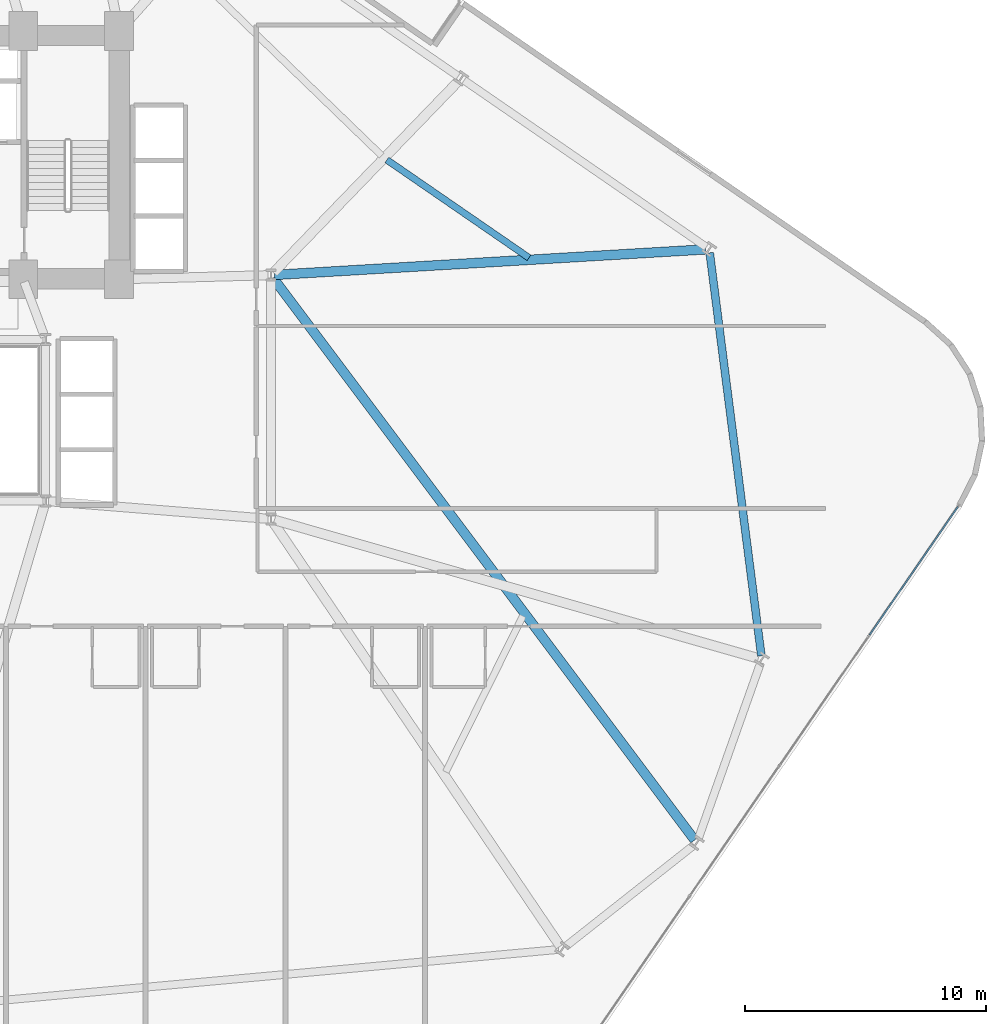
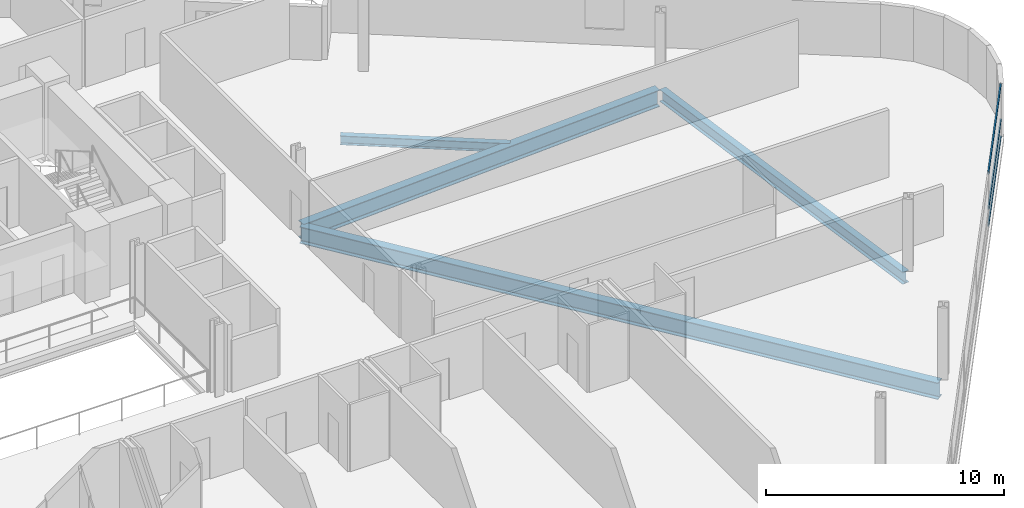
# One storey, part 10 of 25: 4 beams, 3 members, 1 element without a shape of its own.
"""IFC4 building model written with IfcOpenShell, lengths in metres."""

from ifc_helpers import new_model, si_unit, direction, frame, origin, origin_2d, place, context, subcontext, project, spatial, hollow_rectangle, i_section, extrude, material, layer, layer_set, material_profile, profile_set, type_object, element, aggregate, save


model = new_model("IFC4")

# Units and contexts
model_context = context("Model", 3, precision=1e-05, world=origin(), true_north=direction((0.0, 1.0)))
body_context = subcontext(model_context, "Body", "Model", "MODEL_VIEW")
ifc_project = project(units=[si_unit("LENGTHUNIT", "METRE"), si_unit("AREAUNIT", "SQUARE_METRE"), si_unit("VOLUMEUNIT", "CUBIC_METRE"), si_unit("PLANEANGLEUNIT", "RADIAN"), si_unit("MASSUNIT", "GRAM", prefix="KILO")], contexts=[model_context])

# Site, building, storey
site_placement = place(None, origin())
site = spatial("IfcSite", under=ifc_project, at=site_placement, CompositionType="ELEMENT")
building_placement = place(site_placement, origin())
building = spatial("IfcBuilding", under=site, at=building_placement, Name="Varnelok Gate Tower", CompositionType="ELEMENT")
storey_placement = place(building_placement, frame((0.0, 0.0, 64.0)))
storey = spatial("IfcBuildingStorey", under=building, at=storey_placement, Name="L15", CompositionType="ELEMENT", Elevation=64.0)

# Beams
ifc_material_1 = material(Name="Structural Steel ASTM A992 Grade 50", Category="steel")
ifc_material_profile_1 = material_profile(ifc_material_1, i_section(OverallWidth=0.280029296875, OverallDepth=0.462890625, WebThickness=0.0107421875, FlangeThickness=0.017333984375, FilletRadius=0.014892578125, at=origin_2d()), Name="W18X76")
ifc_profile_set_1 = profile_set([ifc_material_profile_1], Name="Structural Steel ASTM A992 Grade 50")
beam_type_1 = type_object("IfcBeamType", Name="BM-JST-W18X76", PredefinedType="JOIST", material=ifc_profile_set_1)
beam_1_placement = place(storey_placement, frame((64.705078125, 29.640380859375, -0.4814453125), z_axis=(-0.823532034116, 0.567269767205, 0.0), x_axis=(-0.567269767205, -0.823532034116, 0.0)))
element("IfcBeam", 1, at=beam_1_placement, inside=storey, type_object=beam_type_1, Name="L15 Sector Floor Joist 6", PredefinedType="JOIST", context=body_context, shape_type="SweptSolid", body=[
    extrude(i_section(OverallWidth=0.280029296875, OverallDepth=0.462890625, WebThickness=0.0107421875, FlangeThickness=0.017333984375, FilletRadius=0.014892578125, at=origin_2d()), origin(), (0.0, 0.0, 1.0), 7.15771484375),
])
ifc_material_profile_2 = material_profile(ifc_material_1, i_section(OverallWidth=0.39892578125, OverallDepth=0.85498046875, WebThickness=0.018310546875, FlangeThickness=0.029296875, FilletRadius=0.02392578125, at=origin_2d()), Name="W33X201")
ifc_profile_set_2 = profile_set([ifc_material_profile_2], Name="Structural Steel ASTM A992 Grade 50")
beam_type_2 = type_object("IfcBeamType", Name="BM-PRI-W33X201", PredefinedType="BEAM", material=ifc_profile_set_2)
beam_2_placement = place(storey_placement, frame((54.090087890625, 28.800048828125, -0.677490234375), z_axis=(0.600038863323, -0.799970851033, 0.0), x_axis=(0.799970851033, 0.600038863323, 0.0)))
element("IfcBeam", 2, at=beam_2_placement, inside=storey, type_object=beam_type_2, Name="L15 Radial Floor Girder 7", PredefinedType="BEAM", context=body_context, shape_type="SweptSolid", body=[
    extrude(i_section(OverallWidth=0.39892578125, OverallDepth=0.85498046875, WebThickness=0.018310546875, FlangeThickness=0.029296875, FilletRadius=0.02392578125, at=origin_2d()), origin(), (0.0, 0.0, 1.0), 29.148193359375),
])
beam_3_placement = place(storey_placement, frame((54.149658203125, 28.928955078125, -0.677490234375), z_axis=(0.998250753284, 0.059122191839, 0.0), x_axis=(-0.059122191839, 0.998250753284, 0.0)))
element("IfcBeam", 3, at=beam_3_placement, inside=storey, type_object=beam_type_2, Name="L15 Radial Floor Girder 9", PredefinedType="BEAM", context=body_context, shape_type="SweptSolid", body=[
    extrude(i_section(OverallWidth=0.39892578125, OverallDepth=0.85498046875, WebThickness=0.018310546875, FlangeThickness=0.029296875, FilletRadius=0.02392578125, at=origin_2d()), origin(), (0.0, 0.0, 1.0), 17.91748046875),
])
ifc_material_profile_3 = material_profile(ifc_material_1, i_section(OverallWidth=0.323974609375, OverallDepth=0.611083984375, WebThickness=0.0126953125, FlangeThickness=0.01904296875, FilletRadius=0.01806640625, at=origin_2d()), Name="W24X104")
ifc_profile_set_3 = profile_set([ifc_material_profile_3], Name="Structural Steel ASTM A992 Grade 50")
beam_type_3 = type_object("IfcBeamType", Name="BM-SPN-W24X104", PredefinedType="SPANDREL", material=ifc_profile_set_3)
beam_4_placement = place(storey_placement, frame((74.347900390625, 13.125, -0.555419921875), z_axis=(-0.127122673264, 0.991887002608, 0.0), x_axis=(-0.991887002608, -0.127122673264, 0.0)))
element("IfcBeam", 4, at=beam_4_placement, inside=storey, type_object=beam_type_3, Name="L15 Perimeter Spandrel Beam 8", PredefinedType="SPANDREL", context=body_context, shape_type="SweptSolid", body=[
    extrude(i_section(OverallWidth=0.323974609375, OverallDepth=0.611083984375, WebThickness=0.0126953125, FlangeThickness=0.01904296875, FilletRadius=0.01806640625, at=origin_2d()), origin(), (0.0, 0.0, 1.0), 16.860107421875),
])

# Curtain wall, members
ifc_material_2 = material(Name="Anodized Aluminum Alloy 6063-T6", Category="aluminium")
ifc_layer = layer(ifc_material_2, 0.179931640625)
ifc_layer_set = layer_set([ifc_layer], Name="Anodized Aluminum Alloy 6063-T6")
curtain_wall_type = type_object("IfcCurtainWallType", Name="CW3-HOTEL-VISION", PredefinedType="USERDEFINED", material=ifc_layer_set)
curtain_wall_placement = place(storey_placement, origin())
curtain_wall = element("IfcCurtainWall", 5, at=curtain_wall_placement, inside=storey, type_object=curtain_wall_type, Name="L15 East End Vision Curtain Wall", ObjectType="UNITISED CURTAIN WALL", PredefinedType="USERDEFINED")
ifc_material_profile_4 = material_profile(ifc_material_2, hollow_rectangle(XDim=0.06494140625, YDim=0.159912109375, WallThickness=0.00390625, at=origin_2d()), Name="ALU160X65X4")
ifc_profile_set_4 = profile_set([ifc_material_profile_4], Name="Anodized Aluminum Alloy 6063-T6")
member_type = type_object("IfcMemberType", Name="CW-TRAN-160", PredefinedType="USERDEFINED", material=ifc_profile_set_4)
member_1_placement = place(storey_placement, frame((82.505615234375, 19.3125, 0.032470703125), z_axis=(-0.567298980035, -0.823511910813, 0.0), x_axis=(0.823511910813, -0.567298980035, 0.0)))
member_1 = element("IfcMember", 6, at=member_1_placement, type_object=member_type, Name="CW3 transom 1.1", ObjectType="TRANSOM", PredefinedType="USERDEFINED", context=body_context, shape_type="SweptSolid", body=[
    extrude(hollow_rectangle(XDim=0.06494140625, YDim=0.159912109375, WallThickness=0.00390625, at=origin_2d()), origin(), (0.0, 0.0, 1.0), 6.468994140625),
])
member_2_placement = place(storey_placement, frame((82.505615234375, 19.3125, 0.89990234375), z_axis=(-0.567298980035, -0.823511910813, 0.0), x_axis=(0.823511910813, -0.567298980035, 0.0)))
member_2 = element("IfcMember", 7, at=member_2_placement, type_object=member_type, Name="CW3 transom 1.2", ObjectType="TRANSOM", PredefinedType="USERDEFINED", context=body_context, shape_type="SweptSolid", body=[
    extrude(hollow_rectangle(XDim=0.06494140625, YDim=0.159912109375, WallThickness=0.00390625, at=origin_2d()), origin(), (0.0, 0.0, 1.0), 6.468994140625),
])
member_3_placement = place(storey_placement, frame((82.505615234375, 19.3125, 2.697509765625), z_axis=(-0.567298980035, -0.823511910813, 0.0), x_axis=(0.823511910813, -0.567298980035, 0.0)))
member_3 = element("IfcMember", 8, at=member_3_placement, type_object=member_type, Name="CW3 transom 1.3", ObjectType="TRANSOM", PredefinedType="USERDEFINED", context=body_context, shape_type="SweptSolid", body=[
    extrude(hollow_rectangle(XDim=0.06494140625, YDim=0.159912109375, WallThickness=0.00390625, at=origin_2d()), origin(), (0.0, 0.0, 1.0), 6.468994140625),
])
aggregate(curtain_wall, [member_1, member_2, member_3])

save(model, "model.ifc")
